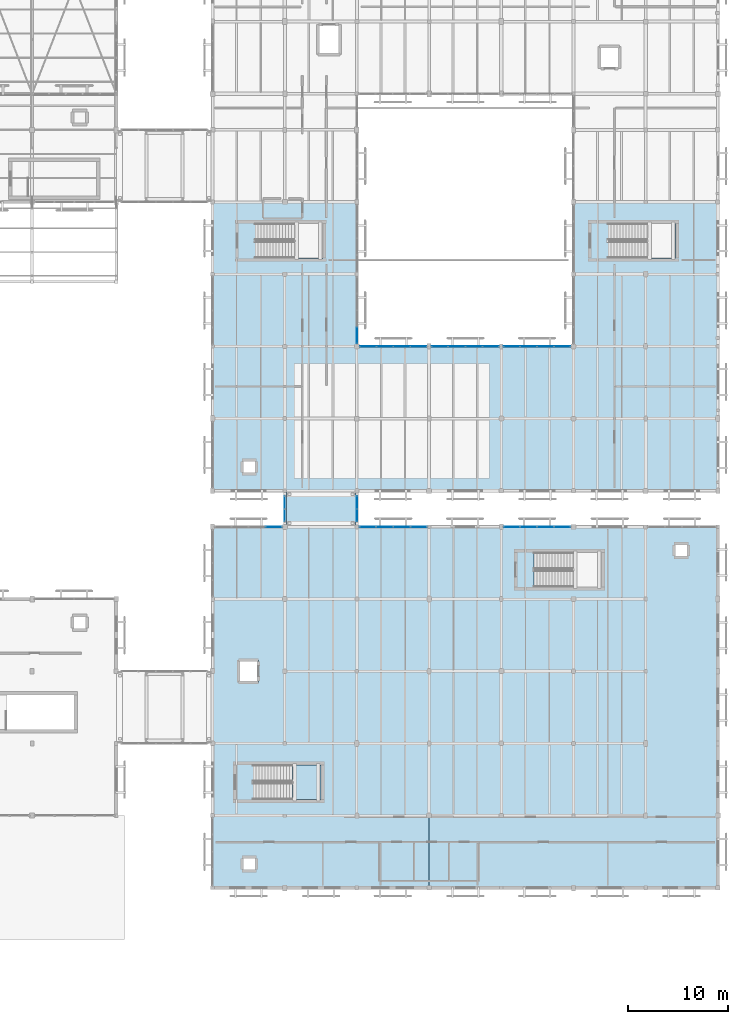
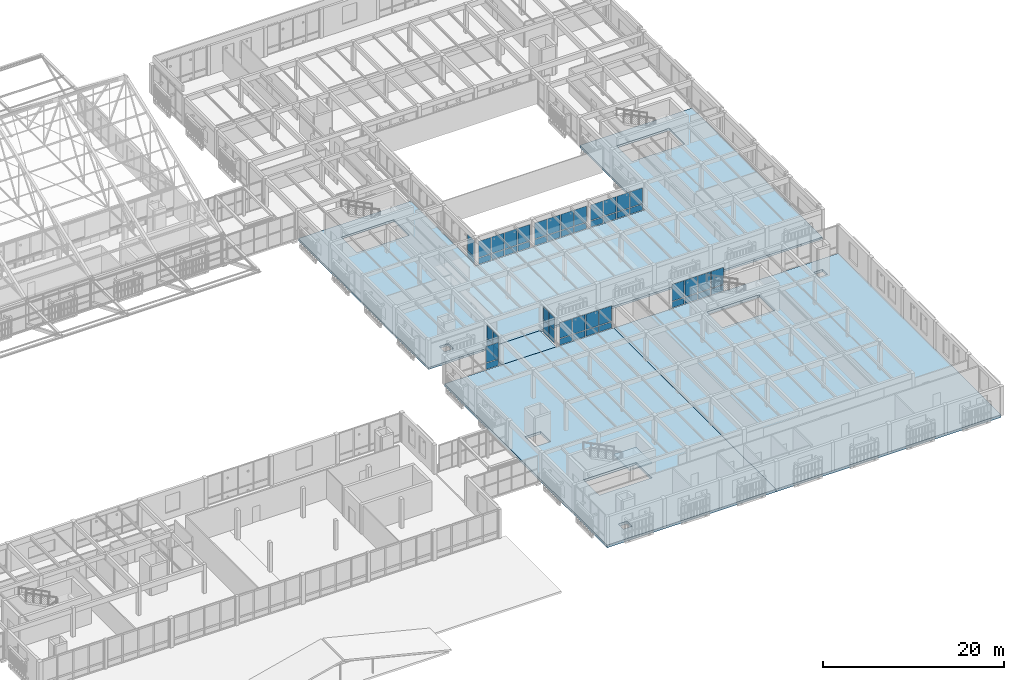
# One storey, part 172 of 217: 52 plates, 5 slabs, 10 elements without a shape of their own.
"""IFC4 building model written with IfcOpenShell, lengths in metres."""

from ifc_helpers import new_model, si_unit, direction, frame, origin, origin_2d, place, context, subcontext, project, spatial, polyline, rectangle, outline, extrude, material, layer, layer_set, type_object, element, aggregate, save


model = new_model("IFC4")

# Units and contexts
model_context = context("Model", 3, precision=1e-05, world=origin(), true_north=direction((0.0, 1.0)))
body_context = subcontext(model_context, "Body", "Model", "MODEL_VIEW")
ifc_project = project(units=[si_unit("LENGTHUNIT", "METRE"), si_unit("AREAUNIT", "SQUARE_METRE"), si_unit("VOLUMEUNIT", "CUBIC_METRE"), si_unit("PLANEANGLEUNIT", "RADIAN"), si_unit("MASSUNIT", "GRAM", prefix="KILO")], contexts=[model_context])

# Site, building, storey
site_placement = place(None, origin())
site = spatial("IfcSite", under=ifc_project, at=site_placement, CompositionType="ELEMENT")
building_placement = place(site_placement, origin())
building = spatial("IfcBuilding", under=site, at=building_placement, Name="Mazaris Harbour Polytechnic", CompositionType="ELEMENT")
storey_placement = place(building_placement, frame((0.0, 0.0, 9.60009765625)))
storey = spatial("IfcBuildingStorey", under=building, at=storey_placement, Name="L02", CompositionType="ELEMENT", Elevation=9.60009765625)

# Slabs
ifc_material_1 = material(Name="Glulam GL28h and Concrete C30/37", Category="concrete")
ifc_layer_1 = layer(ifc_material_1, 0.264892578125, Name="Glulam GL28h and Concrete C30/37")
ifc_layer_set_1 = layer_set([ifc_layer_1], Name="Glulam GL28h and Concrete C30/37")
slab_type_1 = type_object("IfcSlabType", Name="CLT Composite Floor 265", PredefinedType="FLOOR", material=ifc_layer_set_1)
slab_1_placement = place(storey_placement, frame((0.0, 0.0, -0.26513671875)))
element("IfcSlab", 1, at=slab_1_placement, inside=storey, type_object=slab_type_1, Name="PB-NE L02 Bridge Deck", PredefinedType="FLOOR", context=body_context, shape_type="SweptSolid", body=[
    extrude(outline(polyline([(136.64990234375, 43.199951171875), (136.64990234375, 46.800048828125), (129.75, 46.800048828125), (129.75, 43.199951171875), (136.64990234375, 43.199951171875)])), origin(), (0.0, 0.0, 1.0), 0.26513671875),
])
ifc_material_2 = material(Name="Glulam GL28h and Concrete C30/37", Category="concrete")
ifc_layer_2 = layer(ifc_material_2, 0.280029296875, Name="Glulam GL28h and Concrete C30/37")
ifc_layer_set_2 = layer_set([ifc_layer_2], Name="Glulam GL28h and Concrete C30/37")
slab_type_2 = type_object("IfcSlabType", Name="CLT Composite Floor 280", PredefinedType="FLOOR", material=ifc_layer_set_2)
slab_2_placement = place(storey_placement, frame((0.0, 0.0, -0.280029296875)))
element("IfcSlab", 2, at=slab_2_placement, inside=storey, type_object=slab_type_2, Name="V5 L02 Floor Slab", PredefinedType="FLOOR", context=body_context, shape_type="SweptSolid", body=[
    extrude(outline(polyline([(172.800048828125, 46.800048828125), (122.39990234375, 46.800048828125), (122.39990234375, 75.60009765625), (136.800048828125, 75.60009765625), (136.800048828125, 61.199951171875), (158.39990234375, 61.199951171875), (158.39990234375, 75.60009765625), (172.800048828125, 75.60009765625), (172.800048828125, 46.800048828125)]), holes=[polyline([(126.675048828125, 70.0), (133.39990234375, 70.0), (133.39990234375, 73.449951171875), (126.675048828125, 73.449951171875), (126.675048828125, 70.0)]), polyline([(161.875, 73.449951171875), (161.875, 70.0), (168.60009765625, 70.0), (168.60009765625, 73.449951171875), (161.875, 73.449951171875)]), polyline([(125.5, 48.60009765625), (126.6201171875, 48.60009765625), (126.6201171875, 49.719970703125), (125.5, 49.719970703125), (125.5, 48.60009765625)])]), origin(), (0.0, 0.0, 1.0), 0.280029296875),
])

# Curtain wall, plates
ifc_material_3 = material(Name="Anodised Bronze Aluminium and Low-E Glass", Category="aluminium")
ifc_layer_3 = layer(ifc_material_3, 0.159912109375, Name="Anodised Bronze Aluminium and Low-E Glass")
ifc_layer_set_3 = layer_set([ifc_layer_3], Name="Anodised Bronze Aluminium and Low-E Glass")
curtain_wall_type_1 = type_object("IfcCurtainWallType", Name="Cloister Court Curtain Wall", PredefinedType="NOTDEFINED", material=ifc_layer_set_3)
curtain_wall_1_placement = place(storey_placement, origin())
curtain_wall_1 = element("IfcCurtainWall", 3, at=curtain_wall_1_placement, inside=storey, type_object=curtain_wall_type_1, Name="V2 L02 Curtain Wall 49", PredefinedType="NOTDEFINED")
ifc_material_4 = material(Name="Low-E Double Glazing", Category="glass")
ifc_layer_4 = layer(ifc_material_4, 0.028076171875, Name="Low-E Double Glazing")
ifc_layer_set_4 = layer_set([ifc_layer_4], Name="Low-E Double Glazing")
plate_type_1 = type_object("IfcPlateType", Name="Low-E Vision Glass Panel 28", PredefinedType="CURTAIN_PANEL", material=ifc_layer_set_4)
plate_1_placement = place(storey_placement, frame((128.4921875, 43.199951171875, 0.079833984375), z_axis=(0.0, 0.0, 1.0), x_axis=(1.0, 0.0, 0.0)))
plate_1 = element("IfcPlate", 4, at=plate_1_placement, type_object=plate_type_1, Name="CW-02 panel 4.1", PredefinedType="CURTAIN_PANEL", context=body_context, shape_type="SweptSolid", body=[
    extrude(rectangle(XDim=1.571533203125, YDim=0.028076171875, at=origin_2d()), origin(), (0.0, 0.0, 1.0), 0.830078125),
])
plate_2_placement = place(storey_placement, frame((128.4921875, 43.199951171875, 0.98974609375), z_axis=(0.0, 0.0, 1.0), x_axis=(1.0, 0.0, 0.0)))
plate_2 = element("IfcPlate", 5, at=plate_2_placement, type_object=plate_type_1, Name="CW-02 panel 4.2", PredefinedType="CURTAIN_PANEL", context=body_context, shape_type="SweptSolid", body=[
    extrude(rectangle(XDim=1.571533203125, YDim=0.028076171875, at=origin_2d()), origin(), (0.0, 0.0, 1.0), 2.199951171875),
])
aggregate(curtain_wall_1, [plate_1, plate_2])

curtain_wall_2_placement = place(storey_placement, origin())
curtain_wall_2 = element("IfcCurtainWall", 6, at=curtain_wall_2_placement, inside=storey, type_object=curtain_wall_type_1, Name="V2 L02 Curtain Wall 50", PredefinedType="NOTDEFINED")
plate_3_placement = place(storey_placement, frame((137.87646484375, 43.199951171875, 0.079833984375), z_axis=(0.0, 0.0, 1.0), x_axis=(1.0, 0.0, 0.0)))
plate_3 = element("IfcPlate", 7, at=plate_3_placement, type_object=plate_type_1, Name="CW-02 panel 1.1", PredefinedType="CURTAIN_PANEL", context=body_context, shape_type="SweptSolid", body=[
    extrude(rectangle(XDim=1.589111328125, YDim=0.028076171875, at=origin_2d()), origin(), (0.0, 0.0, 1.0), 0.830078125),
])
plate_4_placement = place(storey_placement, frame((137.87646484375, 43.199951171875, 0.98974609375), z_axis=(0.0, 0.0, 1.0), x_axis=(1.0, 0.0, 0.0)))
plate_4 = element("IfcPlate", 8, at=plate_4_placement, type_object=plate_type_1, Name="CW-02 panel 1.2", PredefinedType="CURTAIN_PANEL", context=body_context, shape_type="SweptSolid", body=[
    extrude(rectangle(XDim=1.589111328125, YDim=0.028076171875, at=origin_2d()), origin(), (0.0, 0.0, 1.0), 2.10009765625),
])
plate_5_placement = place(storey_placement, frame((139.5654296875, 43.199951171875, 0.079833984375), z_axis=(0.0, 0.0, 1.0), x_axis=(1.0, 0.0, 0.0)))
plate_5 = element("IfcPlate", 9, at=plate_5_placement, type_object=plate_type_1, Name="CW-02 panel 2.1", PredefinedType="CURTAIN_PANEL", context=body_context, shape_type="SweptSolid", body=[
    extrude(rectangle(XDim=1.62890625, YDim=0.028076171875, at=origin_2d()), origin(), (0.0, 0.0, 1.0), 0.830078125),
])
plate_6_placement = place(storey_placement, frame((139.5654296875, 43.199951171875, 0.98974609375), z_axis=(0.0, 0.0, 1.0), x_axis=(1.0, 0.0, 0.0)))
plate_6 = element("IfcPlate", 10, at=plate_6_placement, type_object=plate_type_1, Name="CW-02 panel 2.2", PredefinedType="CURTAIN_PANEL", context=body_context, shape_type="SweptSolid", body=[
    extrude(rectangle(XDim=1.62890625, YDim=0.028076171875, at=origin_2d()), origin(), (0.0, 0.0, 1.0), 2.10009765625),
])
plate_7_placement = place(storey_placement, frame((141.2744140625, 43.199951171875, 0.079833984375), z_axis=(0.0, 0.0, 1.0), x_axis=(1.0, 0.0, 0.0)))
plate_7 = element("IfcPlate", 11, at=plate_7_placement, type_object=plate_type_1, Name="CW-02 panel 3.1", PredefinedType="CURTAIN_PANEL", context=body_context, shape_type="SweptSolid", body=[
    extrude(rectangle(XDim=1.62890625, YDim=0.028076171875, at=origin_2d()), origin(), (0.0, 0.0, 1.0), 0.830078125),
])
plate_8_placement = place(storey_placement, frame((141.2744140625, 43.199951171875, 0.98974609375), z_axis=(0.0, 0.0, 1.0), x_axis=(1.0, 0.0, 0.0)))
plate_8 = element("IfcPlate", 12, at=plate_8_placement, type_object=plate_type_1, Name="CW-02 panel 3.2", PredefinedType="CURTAIN_PANEL", context=body_context, shape_type="SweptSolid", body=[
    extrude(rectangle(XDim=1.62890625, YDim=0.028076171875, at=origin_2d()), origin(), (0.0, 0.0, 1.0), 2.10009765625),
])
plate_9_placement = place(storey_placement, frame((142.96337890625, 43.199951171875, 0.079833984375), z_axis=(0.0, 0.0, 1.0), x_axis=(1.0, 0.0, 0.0)))
plate_9 = element("IfcPlate", 13, at=plate_9_placement, type_object=plate_type_1, Name="CW-02 panel 4.1", PredefinedType="CURTAIN_PANEL", context=body_context, shape_type="SweptSolid", body=[
    extrude(rectangle(XDim=1.589111328125, YDim=0.028076171875, at=origin_2d()), origin(), (0.0, 0.0, 1.0), 0.830078125),
])
plate_10_placement = place(storey_placement, frame((142.96337890625, 43.199951171875, 0.98974609375), z_axis=(0.0, 0.0, 1.0), x_axis=(1.0, 0.0, 0.0)))
plate_10 = element("IfcPlate", 14, at=plate_10_placement, type_object=plate_type_1, Name="CW-02 panel 4.2", PredefinedType="CURTAIN_PANEL", context=body_context, shape_type="SweptSolid", body=[
    extrude(rectangle(XDim=1.589111328125, YDim=0.028076171875, at=origin_2d()), origin(), (0.0, 0.0, 1.0), 2.10009765625),
])
aggregate(curtain_wall_2, [plate_3, plate_4, plate_5, plate_6, plate_7, plate_8, plate_9, plate_10])

curtain_wall_3_placement = place(storey_placement, origin())
curtain_wall_3 = element("IfcCurtainWall", 15, at=curtain_wall_3_placement, inside=storey, type_object=curtain_wall_type_1, Name="V2 L02 Curtain Wall 51", PredefinedType="NOTDEFINED")
plate_11_placement = place(storey_placement, frame((152.2578125, 43.199951171875, 0.079833984375), z_axis=(0.0, 0.0, 1.0), x_axis=(1.0, 0.0, 0.0)))
plate_11 = element("IfcPlate", 16, at=plate_11_placement, type_object=plate_type_1, Name="CW-02 panel 1.1", PredefinedType="CURTAIN_PANEL", context=body_context, shape_type="SweptSolid", body=[
    extrude(rectangle(XDim=1.571533203125, YDim=0.028076171875, at=origin_2d()), origin(), (0.0, 0.0, 1.0), 0.830078125),
])
plate_12_placement = place(storey_placement, frame((152.2578125, 43.199951171875, 0.98974609375), z_axis=(0.0, 0.0, 1.0), x_axis=(1.0, 0.0, 0.0)))
plate_12 = element("IfcPlate", 17, at=plate_12_placement, type_object=plate_type_1, Name="CW-02 panel 1.2", PredefinedType="CURTAIN_PANEL", context=body_context, shape_type="SweptSolid", body=[
    extrude(rectangle(XDim=1.571533203125, YDim=0.028076171875, at=origin_2d()), origin(), (0.0, 0.0, 1.0), 2.260009765625),
])
plate_13_placement = place(storey_placement, frame((153.92919921875, 43.199951171875, 0.079833984375), z_axis=(0.0, 0.0, 1.0), x_axis=(1.0, 0.0, 0.0)))
plate_13 = element("IfcPlate", 18, at=plate_13_placement, type_object=plate_type_1, Name="CW-02 panel 2.1", PredefinedType="CURTAIN_PANEL", context=body_context, shape_type="SweptSolid", body=[
    extrude(rectangle(XDim=1.611572265625, YDim=0.028076171875, at=origin_2d()), origin(), (0.0, 0.0, 1.0), 0.830078125),
])
plate_14_placement = place(storey_placement, frame((153.92919921875, 43.199951171875, 0.98974609375), z_axis=(0.0, 0.0, 1.0), x_axis=(1.0, 0.0, 0.0)))
plate_14 = element("IfcPlate", 19, at=plate_14_placement, type_object=plate_type_1, Name="CW-02 panel 2.2", PredefinedType="CURTAIN_PANEL", context=body_context, shape_type="SweptSolid", body=[
    extrude(rectangle(XDim=1.611572265625, YDim=0.028076171875, at=origin_2d()), origin(), (0.0, 0.0, 1.0), 2.260009765625),
])
plate_15_placement = place(storey_placement, frame((155.620849609375, 43.199951171875, 0.079833984375), z_axis=(0.0, 0.0, 1.0), x_axis=(1.0, 0.0, 0.0)))
plate_15 = element("IfcPlate", 20, at=plate_15_placement, type_object=plate_type_1, Name="CW-02 panel 3.1", PredefinedType="CURTAIN_PANEL", context=body_context, shape_type="SweptSolid", body=[
    extrude(rectangle(XDim=1.611572265625, YDim=0.028076171875, at=origin_2d()), origin(), (0.0, 0.0, 1.0), 0.830078125),
])
plate_16_placement = place(storey_placement, frame((155.620849609375, 43.199951171875, 0.98974609375), z_axis=(0.0, 0.0, 1.0), x_axis=(1.0, 0.0, 0.0)))
plate_16 = element("IfcPlate", 21, at=plate_16_placement, type_object=plate_type_1, Name="CW-02 panel 3.2", PredefinedType="CURTAIN_PANEL", context=body_context, shape_type="SweptSolid", body=[
    extrude(rectangle(XDim=1.611572265625, YDim=0.028076171875, at=origin_2d()), origin(), (0.0, 0.0, 1.0), 2.260009765625),
])
plate_17_placement = place(storey_placement, frame((157.292236328125, 43.199951171875, 0.079833984375), z_axis=(0.0, 0.0, 1.0), x_axis=(1.0, 0.0, 0.0)))
plate_17 = element("IfcPlate", 22, at=plate_17_placement, type_object=plate_type_1, Name="CW-02 panel 4.1", PredefinedType="CURTAIN_PANEL", context=body_context, shape_type="SweptSolid", body=[
    extrude(rectangle(XDim=1.571533203125, YDim=0.028076171875, at=origin_2d()), origin(), (0.0, 0.0, 1.0), 0.830078125),
])
plate_18_placement = place(storey_placement, frame((157.292236328125, 43.199951171875, 0.98974609375), z_axis=(0.0, 0.0, 1.0), x_axis=(1.0, 0.0, 0.0)))
plate_18 = element("IfcPlate", 23, at=plate_18_placement, type_object=plate_type_1, Name="CW-02 panel 4.2", PredefinedType="CURTAIN_PANEL", context=body_context, shape_type="SweptSolid", body=[
    extrude(rectangle(XDim=1.571533203125, YDim=0.028076171875, at=origin_2d()), origin(), (0.0, 0.0, 1.0), 2.260009765625),
])
aggregate(curtain_wall_3, [plate_11, plate_12, plate_13, plate_14, plate_15, plate_16, plate_17, plate_18])

ifc_material_5 = material(Name="Anodised Bronze Aluminium and Low-E Glass", Category="aluminium")
ifc_layer_5 = layer(ifc_material_5, 0.139892578125, Name="Anodised Bronze Aluminium and Low-E Glass")
ifc_layer_set_5 = layer_set([ifc_layer_5], Name="Anodised Bronze Aluminium and Low-E Glass")
curtain_wall_type_2 = type_object("IfcCurtainWallType", Name="Seismic Link Bridge Glazing", PredefinedType="NOTDEFINED", material=ifc_layer_set_5)
curtain_wall_4_placement = place(storey_placement, origin())
curtain_wall_4 = element("IfcCurtainWall", 24, at=curtain_wall_4_placement, inside=storey, type_object=curtain_wall_type_2, Name="PB-NE L02 Bridge Glazing", PredefinedType="NOTDEFINED")
plate_19_placement = place(storey_placement, frame((129.60009765625, 45.639892578125, 0.080078125), z_axis=(0.0, 0.0, 1.0), x_axis=(0.0, -1.0, 0.0)))
plate_19 = element("IfcPlate", 25, at=plate_19_placement, type_object=plate_type_1, Name="CW-05 panel 1.1", PredefinedType="CURTAIN_PANEL", context=body_context, shape_type="SweptSolid", body=[
    extrude(rectangle(XDim=1.199951171875, YDim=0.028076171875, at=origin_2d()), origin(), (0.0, 0.0, 1.0), 1.697509765625),
])
plate_20_placement = place(storey_placement, frame((129.60009765625, 45.639892578125, 1.857421875), z_axis=(0.0, 0.0, 1.0), x_axis=(0.0, -1.0, 0.0)))
plate_20 = element("IfcPlate", 26, at=plate_20_placement, type_object=plate_type_1, Name="CW-05 panel 1.2", PredefinedType="CURTAIN_PANEL", context=body_context, shape_type="SweptSolid", body=[
    extrude(rectangle(XDim=1.199951171875, YDim=0.028076171875, at=origin_2d()), origin(), (0.0, 0.0, 1.0), 1.697509765625),
])
plate_21_placement = place(storey_placement, frame((129.60009765625, 44.360107421875, 0.080078125), z_axis=(0.0, 0.0, 1.0), x_axis=(0.0, -1.0, 0.0)))
plate_21 = element("IfcPlate", 27, at=plate_21_placement, type_object=plate_type_1, Name="CW-05 panel 2.1", PredefinedType="CURTAIN_PANEL", context=body_context, shape_type="SweptSolid", body=[
    extrude(rectangle(XDim=1.199951171875, YDim=0.028076171875, at=origin_2d()), origin(), (0.0, 0.0, 1.0), 1.697509765625),
])
plate_22_placement = place(storey_placement, frame((129.60009765625, 44.360107421875, 1.857421875), z_axis=(0.0, 0.0, 1.0), x_axis=(0.0, -1.0, 0.0)))
plate_22 = element("IfcPlate", 28, at=plate_22_placement, type_object=plate_type_1, Name="CW-05 panel 2.2", PredefinedType="CURTAIN_PANEL", context=body_context, shape_type="SweptSolid", body=[
    extrude(rectangle(XDim=1.199951171875, YDim=0.028076171875, at=origin_2d()), origin(), (0.0, 0.0, 1.0), 1.697509765625),
])
aggregate(curtain_wall_4, [plate_19, plate_20, plate_21, plate_22])

curtain_wall_5_placement = place(storey_placement, origin())
curtain_wall_5 = element("IfcCurtainWall", 29, at=curtain_wall_5_placement, inside=storey, type_object=curtain_wall_type_2, Name="PB-NE L02 Bridge Glazing", PredefinedType="NOTDEFINED")
plate_23_placement = place(storey_placement, frame((136.800048828125, 44.360107421875, 0.080078125), z_axis=(0.0, 0.0, 1.0), x_axis=(0.0, 1.0, 0.0)))
plate_23 = element("IfcPlate", 30, at=plate_23_placement, type_object=plate_type_1, Name="CW-05 panel 1.1", PredefinedType="CURTAIN_PANEL", context=body_context, shape_type="SweptSolid", body=[
    extrude(rectangle(XDim=1.199951171875, YDim=0.028076171875, at=origin_2d()), origin(), (0.0, 0.0, 1.0), 1.697509765625),
])
plate_24_placement = place(storey_placement, frame((136.800048828125, 44.360107421875, 1.857421875), z_axis=(0.0, 0.0, 1.0), x_axis=(0.0, 1.0, 0.0)))
plate_24 = element("IfcPlate", 31, at=plate_24_placement, type_object=plate_type_1, Name="CW-05 panel 1.2", PredefinedType="CURTAIN_PANEL", context=body_context, shape_type="SweptSolid", body=[
    extrude(rectangle(XDim=1.199951171875, YDim=0.028076171875, at=origin_2d()), origin(), (0.0, 0.0, 1.0), 1.697509765625),
])
plate_25_placement = place(storey_placement, frame((136.800048828125, 45.639892578125, 0.080078125), z_axis=(0.0, 0.0, 1.0), x_axis=(0.0, 1.0, 0.0)))
plate_25 = element("IfcPlate", 32, at=plate_25_placement, type_object=plate_type_1, Name="CW-05 panel 2.1", PredefinedType="CURTAIN_PANEL", context=body_context, shape_type="SweptSolid", body=[
    extrude(rectangle(XDim=1.199951171875, YDim=0.028076171875, at=origin_2d()), origin(), (0.0, 0.0, 1.0), 1.697509765625),
])
plate_26_placement = place(storey_placement, frame((136.800048828125, 45.639892578125, 1.857421875), z_axis=(0.0, 0.0, 1.0), x_axis=(0.0, 1.0, 0.0)))
plate_26 = element("IfcPlate", 33, at=plate_26_placement, type_object=plate_type_1, Name="CW-05 panel 2.2", PredefinedType="CURTAIN_PANEL", context=body_context, shape_type="SweptSolid", body=[
    extrude(rectangle(XDim=1.199951171875, YDim=0.028076171875, at=origin_2d()), origin(), (0.0, 0.0, 1.0), 1.697509765625),
])
aggregate(curtain_wall_5, [plate_23, plate_24, plate_25, plate_26])

# Stair, slab
ifc_material_6 = material(Name="Concrete C40/50", Category="concrete")
stair_type = type_object("IfcStairType", Name="Core Exit Stair H4200", PredefinedType="HALF_TURN_STAIR", material=ifc_material_6)
stair_placement = place(storey_placement, origin())
stair = element("IfcStair", 34, at=stair_placement, inside=storey, type_object=stair_type, Name="L02 ST03", PredefinedType="HALF_TURN_STAIR")
ifc_material_7 = material(Name="Concrete C40/50", Category="concrete")
ifc_layer_6 = layer(ifc_material_7, 0.199951171875, Name="Concrete C40/50")
ifc_layer_set_6 = layer_set([ifc_layer_6], Name="Concrete C40/50")
slab_type_3 = type_object("IfcSlabType", Name="RC Stair Landing 200", PredefinedType="LANDING", material=ifc_layer_set_6)
slab_3_placement = place(storey_placement, frame((0.0, 0.0, 1.89990234375)))
slab_3 = element("IfcSlab", 35, at=slab_3_placement, type_object=slab_type_3, Name="ST03 landing 1", PredefinedType="LANDING", context=body_context, shape_type="SweptSolid", body=[
    extrude(outline(polyline([(130.35009765625, 16.0), (133.199951171875, 16.0), (133.199951171875, 19.449951171875), (130.35009765625, 19.449951171875), (130.35009765625, 16.0)])), origin(), (0.0, 0.0, 1.0), 0.199951171875),
])
aggregate(stair, [slab_3])

# Slabs
ifc_material_8 = material(Name="Concrete C40/50", Category="concrete")
ifc_layer_7 = layer(ifc_material_8, 0.35009765625, Name="Concrete C40/50")
ifc_layer_set_7 = layer_set([ifc_layer_7], Name="Concrete C40/50")
slab_type_4 = type_object("IfcSlabType", Name="RC Workshop Heavy Slab 350", PredefinedType="FLOOR", material=ifc_layer_set_7)
slab_4_placement = place(storey_placement, frame((0.0, 0.0, -0.35009765625)))
element("IfcSlab", 36, at=slab_4_placement, inside=storey, type_object=slab_type_4, Name="V2 L02 Floor Slab", PredefinedType="FLOOR", context=body_context, shape_type="SweptSolid", body=[
    extrude(outline(polyline([(122.39990234375, 43.199951171875), (144.0, 43.199951171875), (144.0, 7.199951171875), (122.39990234375, 7.199951171875), (122.39990234375, 43.199951171875)]), holes=[polyline([(126.47509765625, 19.449951171875), (126.47509765625, 16.0), (133.199951171875, 16.0), (133.199951171875, 19.449951171875), (126.47509765625, 19.449951171875)]), polyline([(127.0, 27.699951171875), (127.0, 29.89990234375), (125.0, 29.89990234375), (125.0, 27.699951171875), (127.0, 27.699951171875)]), polyline([(125.5, 9.0), (126.6201171875, 9.0), (126.6201171875, 10.1201171875), (125.5, 10.1201171875), (125.5, 9.0)])]), origin(), (0.0, 0.0, 1.0), 0.35009765625),
])
slab_5_placement = place(storey_placement, frame((0.0, 0.0, -0.35009765625)))
element("IfcSlab", 37, at=slab_5_placement, inside=storey, type_object=slab_type_4, Name="V2 L02 Floor Slab", PredefinedType="FLOOR", context=body_context, shape_type="SweptSolid", body=[
    extrude(outline(polyline([(172.800048828125, 43.199951171875), (172.800048828125, 7.199951171875), (144.0, 7.199951171875), (144.0, 43.199951171875), (172.800048828125, 43.199951171875)]), holes=[polyline([(161.199951171875, 40.64990234375), (154.47509765625, 40.64990234375), (154.47509765625, 37.199951171875), (161.199951171875, 37.199951171875), (161.199951171875, 40.64990234375)]), polyline([(168.580078125, 41.39990234375), (168.580078125, 40.280029296875), (169.699951171875, 40.280029296875), (169.699951171875, 41.39990234375), (168.580078125, 41.39990234375)])]), origin(), (0.0, 0.0, 1.0), 0.35009765625),
])

# Curtain wall, plates
ifc_material_9 = material(Name="Anodised Bronze Aluminium and Low-E Glass", Category="aluminium")
ifc_layer_8 = layer(ifc_material_9, 0.169921875, Name="Anodised Bronze Aluminium and Low-E Glass")
ifc_layer_set_8 = layer_set([ifc_layer_8], Name="Anodised Bronze Aluminium and Low-E Glass")
curtain_wall_type_3 = type_object("IfcCurtainWallType", Name="Studio North-Light Curtain Wall", PredefinedType="NOTDEFINED", material=ifc_layer_set_8)
curtain_wall_6_placement = place(storey_placement, origin())
curtain_wall_6 = element("IfcCurtainWall", 38, at=curtain_wall_6_placement, inside=storey, type_object=curtain_wall_type_3, Name="V5 L02 Curtain Wall 235", PredefinedType="NOTDEFINED")
ifc_material_10 = material(Name="Solar-Control Low-E Glazing", Category="glass")
ifc_layer_9 = layer(ifc_material_10, 0.031982421875, Name="Solar-Control Low-E Glazing")
ifc_layer_set_9 = layer_set([ifc_layer_9], Name="Solar-Control Low-E Glazing")
plate_type_2 = type_object("IfcPlateType", Name="Solar Control Studio Glass Panel 32", PredefinedType="CURTAIN_PANEL", material=ifc_layer_set_9)
plate_27_placement = place(storey_placement, frame((137.90771484375, 61.199951171875, 0.079833984375), z_axis=(0.0, 0.0, 1.0), x_axis=(1.0, 0.0, 0.0)))
plate_27 = element("IfcPlate", 39, at=plate_27_placement, type_object=plate_type_2, Name="CW-03 panel 1.1", PredefinedType="CURTAIN_PANEL", context=body_context, shape_type="SweptSolid", body=[
    extrude(rectangle(XDim=1.571533203125, YDim=0.031982421875, at=origin_2d()), origin(), (0.0, 0.0, 1.0), 0.830078125),
])
plate_28_placement = place(storey_placement, frame((137.90771484375, 61.199951171875, 0.98974609375), z_axis=(0.0, 0.0, 1.0), x_axis=(1.0, 0.0, 0.0)))
plate_28 = element("IfcPlate", 40, at=plate_28_placement, type_object=plate_type_2, Name="CW-03 panel 1.2", PredefinedType="CURTAIN_PANEL", context=body_context, shape_type="SweptSolid", body=[
    extrude(rectangle(XDim=1.571533203125, YDim=0.031982421875, at=origin_2d()), origin(), (0.0, 0.0, 1.0), 2.199951171875),
])
plate_29_placement = place(storey_placement, frame((139.579345703125, 61.199951171875, 0.079833984375), z_axis=(0.0, 0.0, 1.0), x_axis=(1.0, 0.0, 0.0)))
plate_29 = element("IfcPlate", 41, at=plate_29_placement, type_object=plate_type_2, Name="CW-03 panel 2.1", PredefinedType="CURTAIN_PANEL", context=body_context, shape_type="SweptSolid", body=[
    extrude(rectangle(XDim=1.611572265625, YDim=0.031982421875, at=origin_2d()), origin(), (0.0, 0.0, 1.0), 0.830078125),
])
plate_30_placement = place(storey_placement, frame((139.579345703125, 61.199951171875, 0.98974609375), z_axis=(0.0, 0.0, 1.0), x_axis=(1.0, 0.0, 0.0)))
plate_30 = element("IfcPlate", 42, at=plate_30_placement, type_object=plate_type_2, Name="CW-03 panel 2.2", PredefinedType="CURTAIN_PANEL", context=body_context, shape_type="SweptSolid", body=[
    extrude(rectangle(XDim=1.611572265625, YDim=0.031982421875, at=origin_2d()), origin(), (0.0, 0.0, 1.0), 2.199951171875),
])
plate_31_placement = place(storey_placement, frame((141.270751953125, 61.199951171875, 0.079833984375), z_axis=(0.0, 0.0, 1.0), x_axis=(1.0, 0.0, 0.0)))
plate_31 = element("IfcPlate", 43, at=plate_31_placement, type_object=plate_type_2, Name="CW-03 panel 3.1", PredefinedType="CURTAIN_PANEL", context=body_context, shape_type="SweptSolid", body=[
    extrude(rectangle(XDim=1.611572265625, YDim=0.031982421875, at=origin_2d()), origin(), (0.0, 0.0, 1.0), 0.830078125),
])
plate_32_placement = place(storey_placement, frame((141.270751953125, 61.199951171875, 0.98974609375), z_axis=(0.0, 0.0, 1.0), x_axis=(1.0, 0.0, 0.0)))
plate_32 = element("IfcPlate", 44, at=plate_32_placement, type_object=plate_type_2, Name="CW-03 panel 3.2", PredefinedType="CURTAIN_PANEL", context=body_context, shape_type="SweptSolid", body=[
    extrude(rectangle(XDim=1.611572265625, YDim=0.031982421875, at=origin_2d()), origin(), (0.0, 0.0, 1.0), 2.199951171875),
])
plate_33_placement = place(storey_placement, frame((142.942138671875, 61.199951171875, 0.079833984375), z_axis=(0.0, 0.0, 1.0), x_axis=(1.0, 0.0, 0.0)))
plate_33 = element("IfcPlate", 45, at=plate_33_placement, type_object=plate_type_2, Name="CW-03 panel 4.1", PredefinedType="CURTAIN_PANEL", context=body_context, shape_type="SweptSolid", body=[
    extrude(rectangle(XDim=1.571533203125, YDim=0.031982421875, at=origin_2d()), origin(), (0.0, 0.0, 1.0), 0.830078125),
])
plate_34_placement = place(storey_placement, frame((142.942138671875, 61.199951171875, 0.98974609375), z_axis=(0.0, 0.0, 1.0), x_axis=(1.0, 0.0, 0.0)))
plate_34 = element("IfcPlate", 46, at=plate_34_placement, type_object=plate_type_2, Name="CW-03 panel 4.2", PredefinedType="CURTAIN_PANEL", context=body_context, shape_type="SweptSolid", body=[
    extrude(rectangle(XDim=1.571533203125, YDim=0.031982421875, at=origin_2d()), origin(), (0.0, 0.0, 1.0), 2.199951171875),
])
aggregate(curtain_wall_6, [plate_27, plate_28, plate_29, plate_30, plate_31, plate_32, plate_33, plate_34])

curtain_wall_7_placement = place(storey_placement, origin())
curtain_wall_7 = element("IfcCurtainWall", 47, at=curtain_wall_7_placement, inside=storey, type_object=curtain_wall_type_3, Name="V5 L02 Curtain Wall 236", PredefinedType="NOTDEFINED")
plate_35_placement = place(storey_placement, frame((145.06640625, 61.199951171875, 0.079833984375), z_axis=(0.0, 0.0, 1.0), x_axis=(1.0, 0.0, 0.0)))
plate_35 = element("IfcPlate", 48, at=plate_35_placement, type_object=plate_type_2, Name="CW-03 panel 1.1", PredefinedType="CURTAIN_PANEL", context=body_context, shape_type="SweptSolid", body=[
    extrude(rectangle(XDim=1.589111328125, YDim=0.031982421875, at=origin_2d()), origin(), (0.0, 0.0, 1.0), 0.830078125),
])
plate_36_placement = place(storey_placement, frame((145.06640625, 61.199951171875, 0.98974609375), z_axis=(0.0, 0.0, 1.0), x_axis=(1.0, 0.0, 0.0)))
plate_36 = element("IfcPlate", 49, at=plate_36_placement, type_object=plate_type_2, Name="CW-03 panel 1.2", PredefinedType="CURTAIN_PANEL", context=body_context, shape_type="SweptSolid", body=[
    extrude(rectangle(XDim=1.589111328125, YDim=0.031982421875, at=origin_2d()), origin(), (0.0, 0.0, 1.0), 2.159912109375),
])
plate_37_placement = place(storey_placement, frame((146.755615234375, 61.199951171875, 0.079833984375), z_axis=(0.0, 0.0, 1.0), x_axis=(1.0, 0.0, 0.0)))
plate_37 = element("IfcPlate", 50, at=plate_37_placement, type_object=plate_type_2, Name="CW-03 panel 2.1", PredefinedType="CURTAIN_PANEL", context=body_context, shape_type="SweptSolid", body=[
    extrude(rectangle(XDim=1.62890625, YDim=0.031982421875, at=origin_2d()), origin(), (0.0, 0.0, 1.0), 0.830078125),
])
plate_38_placement = place(storey_placement, frame((146.755615234375, 61.199951171875, 0.98974609375), z_axis=(0.0, 0.0, 1.0), x_axis=(1.0, 0.0, 0.0)))
plate_38 = element("IfcPlate", 51, at=plate_38_placement, type_object=plate_type_2, Name="CW-03 panel 2.2", PredefinedType="CURTAIN_PANEL", context=body_context, shape_type="SweptSolid", body=[
    extrude(rectangle(XDim=1.62890625, YDim=0.031982421875, at=origin_2d()), origin(), (0.0, 0.0, 1.0), 2.159912109375),
])
plate_39_placement = place(storey_placement, frame((148.464599609375, 61.199951171875, 0.079833984375), z_axis=(0.0, 0.0, 1.0), x_axis=(1.0, 0.0, 0.0)))
plate_39 = element("IfcPlate", 52, at=plate_39_placement, type_object=plate_type_2, Name="CW-03 panel 3.1", PredefinedType="CURTAIN_PANEL", context=body_context, shape_type="SweptSolid", body=[
    extrude(rectangle(XDim=1.62890625, YDim=0.031982421875, at=origin_2d()), origin(), (0.0, 0.0, 1.0), 0.830078125),
])
plate_40_placement = place(storey_placement, frame((148.464599609375, 61.199951171875, 0.98974609375), z_axis=(0.0, 0.0, 1.0), x_axis=(1.0, 0.0, 0.0)))
plate_40 = element("IfcPlate", 53, at=plate_40_placement, type_object=plate_type_2, Name="CW-03 panel 3.2", PredefinedType="CURTAIN_PANEL", context=body_context, shape_type="SweptSolid", body=[
    extrude(rectangle(XDim=1.62890625, YDim=0.031982421875, at=origin_2d()), origin(), (0.0, 0.0, 1.0), 2.159912109375),
])
plate_41_placement = place(storey_placement, frame((150.153564453125, 61.199951171875, 0.079833984375), z_axis=(0.0, 0.0, 1.0), x_axis=(1.0, 0.0, 0.0)))
plate_41 = element("IfcPlate", 54, at=plate_41_placement, type_object=plate_type_2, Name="CW-03 panel 4.1", PredefinedType="CURTAIN_PANEL", context=body_context, shape_type="SweptSolid", body=[
    extrude(rectangle(XDim=1.589111328125, YDim=0.031982421875, at=origin_2d()), origin(), (0.0, 0.0, 1.0), 0.830078125),
])
plate_42_placement = place(storey_placement, frame((150.153564453125, 61.199951171875, 0.98974609375), z_axis=(0.0, 0.0, 1.0), x_axis=(1.0, 0.0, 0.0)))
plate_42 = element("IfcPlate", 55, at=plate_42_placement, type_object=plate_type_2, Name="CW-03 panel 4.2", PredefinedType="CURTAIN_PANEL", context=body_context, shape_type="SweptSolid", body=[
    extrude(rectangle(XDim=1.589111328125, YDim=0.031982421875, at=origin_2d()), origin(), (0.0, 0.0, 1.0), 2.159912109375),
])
aggregate(curtain_wall_7, [plate_35, plate_36, plate_37, plate_38, plate_39, plate_40, plate_41, plate_42])

curtain_wall_8_placement = place(storey_placement, origin())
curtain_wall_8 = element("IfcCurtainWall", 56, at=curtain_wall_8_placement, inside=storey, type_object=curtain_wall_type_3, Name="V5 L02 Curtain Wall 237", PredefinedType="NOTDEFINED")
plate_43_placement = place(storey_placement, frame((152.240234375, 61.199951171875, 0.079833984375), z_axis=(0.0, 0.0, 1.0), x_axis=(1.0, 0.0, 0.0)))
plate_43 = element("IfcPlate", 57, at=plate_43_placement, type_object=plate_type_2, Name="CW-03 panel 1.1", PredefinedType="CURTAIN_PANEL", context=body_context, shape_type="SweptSolid", body=[
    extrude(rectangle(XDim=1.576416015625, YDim=0.031982421875, at=origin_2d()), origin(), (0.0, 0.0, 1.0), 0.830078125),
])
plate_44_placement = place(storey_placement, frame((152.240234375, 61.199951171875, 0.98974609375), z_axis=(0.0, 0.0, 1.0), x_axis=(1.0, 0.0, 0.0)))
plate_44 = element("IfcPlate", 58, at=plate_44_placement, type_object=plate_type_2, Name="CW-03 panel 1.2", PredefinedType="CURTAIN_PANEL", context=body_context, shape_type="SweptSolid", body=[
    extrude(rectangle(XDim=1.576416015625, YDim=0.031982421875, at=origin_2d()), origin(), (0.0, 0.0, 1.0), 2.10009765625),
])
plate_45_placement = place(storey_placement, frame((153.916748046875, 61.199951171875, 0.079833984375), z_axis=(0.0, 0.0, 1.0), x_axis=(1.0, 0.0, 0.0)))
plate_45 = element("IfcPlate", 59, at=plate_45_placement, type_object=plate_type_2, Name="CW-03 panel 2.1", PredefinedType="CURTAIN_PANEL", context=body_context, shape_type="SweptSolid", body=[
    extrude(rectangle(XDim=1.616455078125, YDim=0.031982421875, at=origin_2d()), origin(), (0.0, 0.0, 1.0), 0.830078125),
])
plate_46_placement = place(storey_placement, frame((153.916748046875, 61.199951171875, 0.98974609375), z_axis=(0.0, 0.0, 1.0), x_axis=(1.0, 0.0, 0.0)))
plate_46 = element("IfcPlate", 60, at=plate_46_placement, type_object=plate_type_2, Name="CW-03 panel 2.2", PredefinedType="CURTAIN_PANEL", context=body_context, shape_type="SweptSolid", body=[
    extrude(rectangle(XDim=1.616455078125, YDim=0.031982421875, at=origin_2d()), origin(), (0.0, 0.0, 1.0), 2.10009765625),
])
plate_47_placement = place(storey_placement, frame((155.61328125, 61.199951171875, 0.079833984375), z_axis=(0.0, 0.0, 1.0), x_axis=(1.0, 0.0, 0.0)))
plate_47 = element("IfcPlate", 61, at=plate_47_placement, type_object=plate_type_2, Name="CW-03 panel 3.1", PredefinedType="CURTAIN_PANEL", context=body_context, shape_type="SweptSolid", body=[
    extrude(rectangle(XDim=1.616455078125, YDim=0.031982421875, at=origin_2d()), origin(), (0.0, 0.0, 1.0), 0.830078125),
])
plate_48_placement = place(storey_placement, frame((155.61328125, 61.199951171875, 0.98974609375), z_axis=(0.0, 0.0, 1.0), x_axis=(1.0, 0.0, 0.0)))
plate_48 = element("IfcPlate", 62, at=plate_48_placement, type_object=plate_type_2, Name="CW-03 panel 3.2", PredefinedType="CURTAIN_PANEL", context=body_context, shape_type="SweptSolid", body=[
    extrude(rectangle(XDim=1.616455078125, YDim=0.031982421875, at=origin_2d()), origin(), (0.0, 0.0, 1.0), 2.10009765625),
])
plate_49_placement = place(storey_placement, frame((157.289794921875, 61.199951171875, 0.079833984375), z_axis=(0.0, 0.0, 1.0), x_axis=(1.0, 0.0, 0.0)))
plate_49 = element("IfcPlate", 63, at=plate_49_placement, type_object=plate_type_2, Name="CW-03 panel 4.1", PredefinedType="CURTAIN_PANEL", context=body_context, shape_type="SweptSolid", body=[
    extrude(rectangle(XDim=1.576416015625, YDim=0.031982421875, at=origin_2d()), origin(), (0.0, 0.0, 1.0), 0.830078125),
])
plate_50_placement = place(storey_placement, frame((157.289794921875, 61.199951171875, 0.98974609375), z_axis=(0.0, 0.0, 1.0), x_axis=(1.0, 0.0, 0.0)))
plate_50 = element("IfcPlate", 64, at=plate_50_placement, type_object=plate_type_2, Name="CW-03 panel 4.2", PredefinedType="CURTAIN_PANEL", context=body_context, shape_type="SweptSolid", body=[
    extrude(rectangle(XDim=1.576416015625, YDim=0.031982421875, at=origin_2d()), origin(), (0.0, 0.0, 1.0), 2.10009765625),
])
aggregate(curtain_wall_8, [plate_43, plate_44, plate_45, plate_46, plate_47, plate_48, plate_49, plate_50])

curtain_wall_9_placement = place(storey_placement, origin())
curtain_wall_9 = element("IfcCurtainWall", 65, at=curtain_wall_9_placement, inside=storey, type_object=curtain_wall_type_3, Name="V5 L02 Curtain Wall 241", PredefinedType="NOTDEFINED")
plate_51_placement = place(storey_placement, frame((136.800048828125, 62.302734375, 0.079833984375), z_axis=(0.0, 0.0, 1.0), x_axis=(0.0, 1.0, 0.0)))
plate_51 = element("IfcPlate", 66, at=plate_51_placement, type_object=plate_type_2, Name="CW-03 panel 1.1", PredefinedType="CURTAIN_PANEL", context=body_context, shape_type="SweptSolid", body=[
    extrude(rectangle(XDim=1.5615234375, YDim=0.031982421875, at=origin_2d()), origin(), (0.0, 0.0, 1.0), 0.830078125),
])
plate_52_placement = place(storey_placement, frame((136.800048828125, 62.302734375, 0.98974609375), z_axis=(0.0, 0.0, 1.0), x_axis=(0.0, 1.0, 0.0)))
plate_52 = element("IfcPlate", 67, at=plate_52_placement, type_object=plate_type_2, Name="CW-03 panel 1.2", PredefinedType="CURTAIN_PANEL", context=body_context, shape_type="SweptSolid", body=[
    extrude(rectangle(XDim=1.5615234375, YDim=0.031982421875, at=origin_2d()), origin(), (0.0, 0.0, 1.0), 2.199951171875),
])
aggregate(curtain_wall_9, [plate_51, plate_52])

save(model, "model.ifc")
